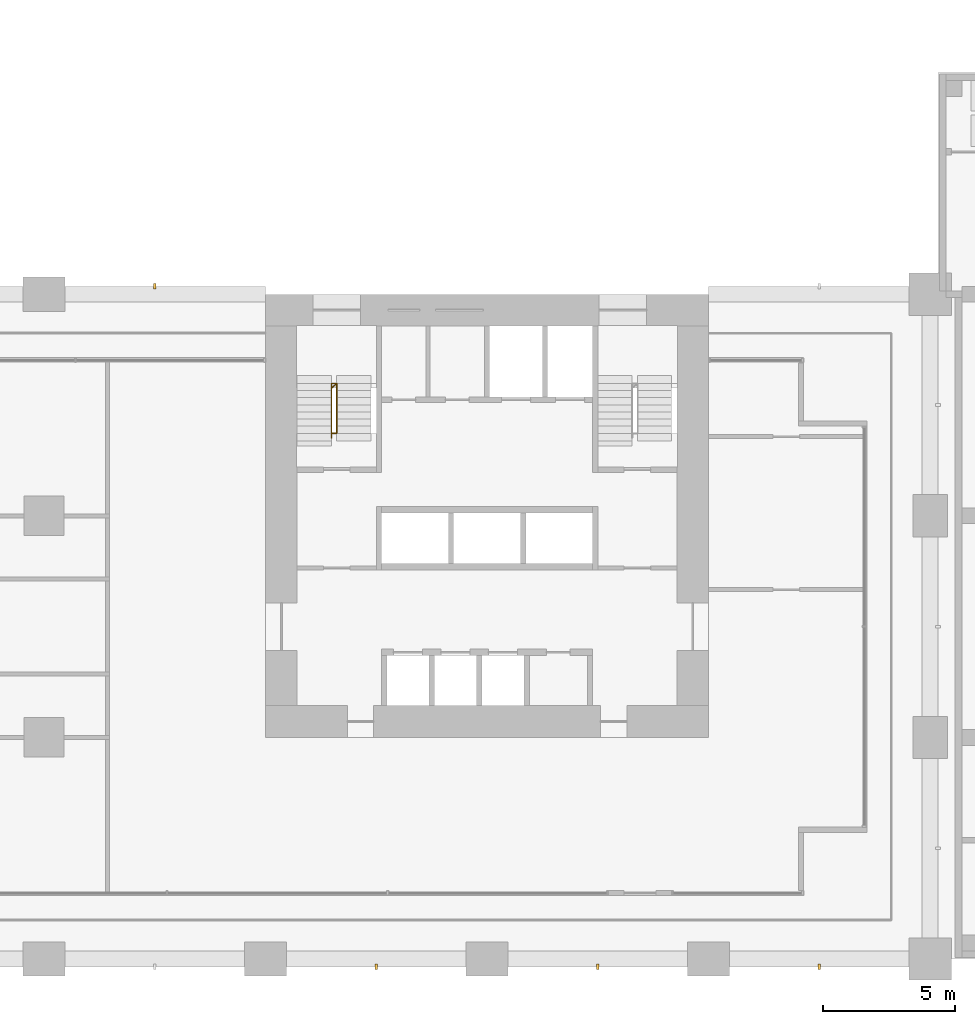
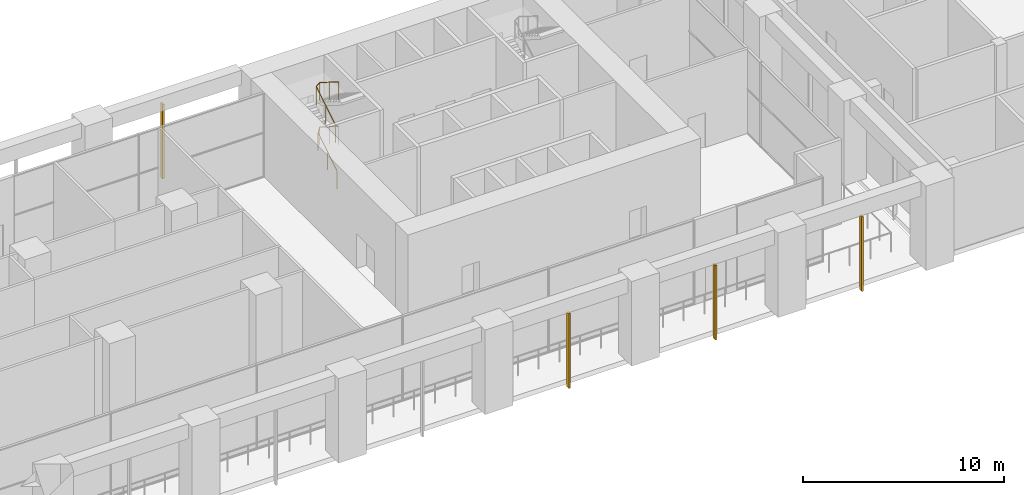
# One storey, part 25 of 32: 4 shading devices, 1 railing.
"""IFC4 building model written with IfcOpenShell, lengths in metres."""

from ifc_helpers import new_model, si_unit, direction, frame, origin, origin_2d, place, context, subcontext, project, spatial, rectangle, circle, extrude, material, material_profile, profile_set, type_object, element, save


model = new_model("IFC4")

# Units and contexts
model_context = context("Model", 3, precision=1e-05, world=origin(), true_north=direction((0.0, 1.0)))
body_context = subcontext(model_context, "Body", "Model", "MODEL_VIEW")
ifc_project = project(units=[si_unit("LENGTHUNIT", "METRE"), si_unit("AREAUNIT", "SQUARE_METRE"), si_unit("VOLUMEUNIT", "CUBIC_METRE"), si_unit("PLANEANGLEUNIT", "RADIAN"), si_unit("MASSUNIT", "GRAM", prefix="KILO")], contexts=[model_context])

# Site, building, storey
site_placement = place(None, origin())
site = spatial("IfcSite", under=ifc_project, at=site_placement, CompositionType="ELEMENT")
building_placement = place(site_placement, origin())
building = spatial("IfcBuilding", under=site, at=building_placement, Name="Vermilion Gate Residences", CompositionType="ELEMENT")
storey_placement = place(building_placement, frame((0.0, 0.0, 19.800048828125)))
storey = spatial("IfcBuildingStorey", under=building, at=storey_placement, Name="L03", CompositionType="ELEMENT", Elevation=19.800048828125)

# Railing
ifc_material_1 = material(Name="Steel S355", Category="steel")
railing_type = type_object("IfcRailingType", Name="STAIR GUARD 1100 STEEL", PredefinedType="GUARDRAIL", material=ifc_material_1)
railing_placement = place(storey_placement, frame((44.5, 19.75, 0.168701171875)))
element("IfcRailing", 1, at=railing_placement, inside=storey, type_object=railing_type, Name="Stair well guard STA1-03", PredefinedType="GUARDRAIL", context=body_context, shape_type="SweptSolid", body=[
    extrude(circle(Radius=0.02392578125, at=origin_2d()), frame((0.0, 0.0, 1.076171875), z_axis=(0.0, 0.848004458282, 0.529989093033), x_axis=(-1.0, 0.0, 0.0)), (0.0, 0.0, 1.0), 2.228515625),
    extrude(circle(Radius=0.02392578125, at=origin_2d()), frame((0.0, 1.889892578125, 2.25732421875), z_axis=(0.629205803127, 0.566976657763, 0.531636649285), x_axis=(-0.669415636384, 0.74288808428, 0.0)), (0.0, 0.0, 1.0), 0.31787109375),
    extrude(circle(Radius=0.02392578125, at=origin_2d()), frame((0.199951171875, 2.070068359375, 2.42626953125), z_axis=(0.0, -0.848035224522, 0.529939862598), x_axis=(1.0, 0.0, 0.0)), (0.0, 0.0, 1.0), 2.228759765625),
    extrude(circle(Radius=0.02392578125, at=origin_2d()), frame((0.199951171875, 0.179931640625, 3.607421875), z_axis=(-0.764305856904, 0.0, 0.644853903688), x_axis=(0.0, -1.0, 0.0)), (0.0, 0.0, 1.0), 0.26171875),
    extrude(circle(Radius=0.02392578125, at=origin_2d()), frame((0.0, 0.179931640625, 3.77587890625), z_axis=(0.0, 0.847985996966, 0.530018630757), x_axis=(-1.0, 0.0, 0.0)), (0.0, 0.0, 1.0), 2.22900390625),
    extrude(circle(Radius=0.02392578125, at=origin_2d()), frame((0.0, 2.070068359375, 4.95751953125), z_axis=(0.764305856904, 0.0, 0.644853903688), x_axis=(0.0, 1.0, 0.0)), (0.0, 0.0, 1.0), 0.26171875),
    extrude(circle(Radius=0.02392578125, at=origin_2d()), frame((0.199951171875, 2.070068359375, 5.1259765625), z_axis=(0.0, -0.848035224522, 0.529939862598), x_axis=(1.0, 0.0, 0.0)), (0.0, 0.0, 1.0), 2.228759765625),
    extrude(circle(Radius=0.02099609375, at=origin_2d()), origin(), (0.0, 0.0, 1.0), 1.052001953125),
    extrude(circle(Radius=0.02099609375, at=origin_2d()), frame((0.0, 0.94482421875, 0.590576171875)), (0.0, 0.0, 1.0), 1.052001953125),
    extrude(circle(Radius=0.02099609375, at=origin_2d()), frame((0.0, 1.889892578125, 1.18115234375)), (0.0, 0.0, 1.0), 1.052001953125),
    extrude(circle(Radius=0.02099609375, at=origin_2d()), frame((0.199951171875, 2.070068359375, 1.35009765625)), (0.0, 0.0, 1.0), 1.052001953125),
    extrude(circle(Radius=0.02099609375, at=origin_2d()), frame((0.199951171875, 1.125, 1.940673828125)), (0.0, 0.0, 1.0), 1.052001953125),
    extrude(circle(Radius=0.02099609375, at=origin_2d()), frame((0.199951171875, 0.179931640625, 2.53125)), (0.0, 0.0, 1.0), 1.052001953125),
    extrude(circle(Radius=0.02099609375, at=origin_2d()), frame((0.0, 0.179931640625, 2.699951171875)), (0.0, 0.0, 1.0), 1.052001953125),
    extrude(circle(Radius=0.02099609375, at=origin_2d()), frame((0.0, 1.125, 3.29052734375)), (0.0, 0.0, 1.0), 1.052001953125),
    extrude(circle(Radius=0.02099609375, at=origin_2d()), frame((0.0, 2.070068359375, 3.88134765625)), (0.0, 0.0, 1.0), 1.052001953125),
    extrude(circle(Radius=0.02099609375, at=origin_2d()), frame((0.199951171875, 2.070068359375, 4.050048828125)), (0.0, 0.0, 1.0), 1.052001953125),
    extrude(circle(Radius=0.02099609375, at=origin_2d()), frame((0.199951171875, 1.125, 4.640625)), (0.0, 0.0, 1.0), 1.052001953125),
    extrude(circle(Radius=0.02099609375, at=origin_2d()), frame((0.199951171875, 0.179931640625, 5.231201171875)), (0.0, 0.0, 1.0), 1.052001953125),
])

# Shading devices
ifc_material_2 = material(Name="Extruded terracotta", Category="masonry")
ifc_material_profile = material_profile(ifc_material_2, rectangle(XDim=0.199951171875, YDim=0.10009765625, at=origin_2d()), Name="BAGUETTE 100 X 200")
ifc_profile_set = profile_set([ifc_material_profile], Name="Extruded terracotta")
shading_device_type = type_object("IfcShadingDeviceType", Name="TERRACOTTA BAGUETTE 100 X 200", PredefinedType="JALOUSIE", material=ifc_profile_set)
for number, where, z_axis, x_axis, name in (
    (2, (46.199951171875, -0.300048828125, -0.300048828125), (0.0, 0.0, 1.0), (0.0, 1.0, 0.0), "BAGUETTE"),
    (3, (54.60009765625, -0.300048828125, -0.300048828125), (0.0, 0.0, 1.0), (0.0, 1.0, 0.0), "BAGUETTE"),
    (4, (63.0, -0.300048828125, -0.300048828125), (0.0, 0.0, 1.0), (0.0, 1.0, 0.0), "BAGUETTE"),
    (5, (37.800048828125, 25.5, -0.300048828125), (0.0, 0.0, 1.0), (0.0, -1.0, 0.0), "BAGUETTE"),
):
    element("IfcShadingDevice", number, at=place(storey_placement, frame(where, z_axis=z_axis, x_axis=x_axis)), inside=storey, type_object=shading_device_type, Name=name, PredefinedType="JALOUSIE", context=body_context, shape_type="SweptSolid", body=[
        extrude(rectangle(XDim=0.199951171875, YDim=0.10009765625, at=origin_2d()), origin(), (0.0, 0.0, 1.0), 4.52001953125),
    ])

save(model, "model.ifc")
